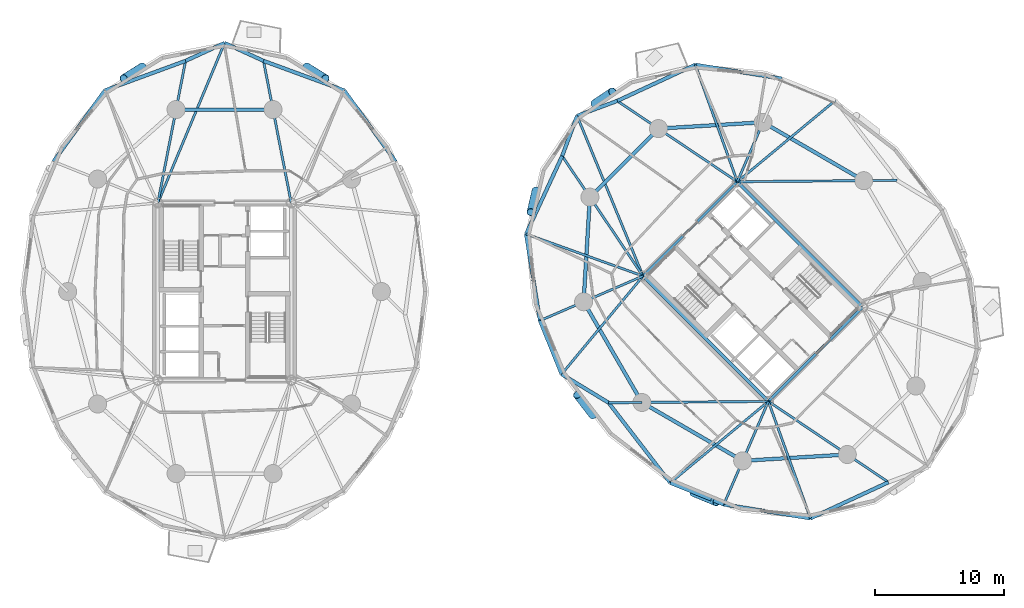
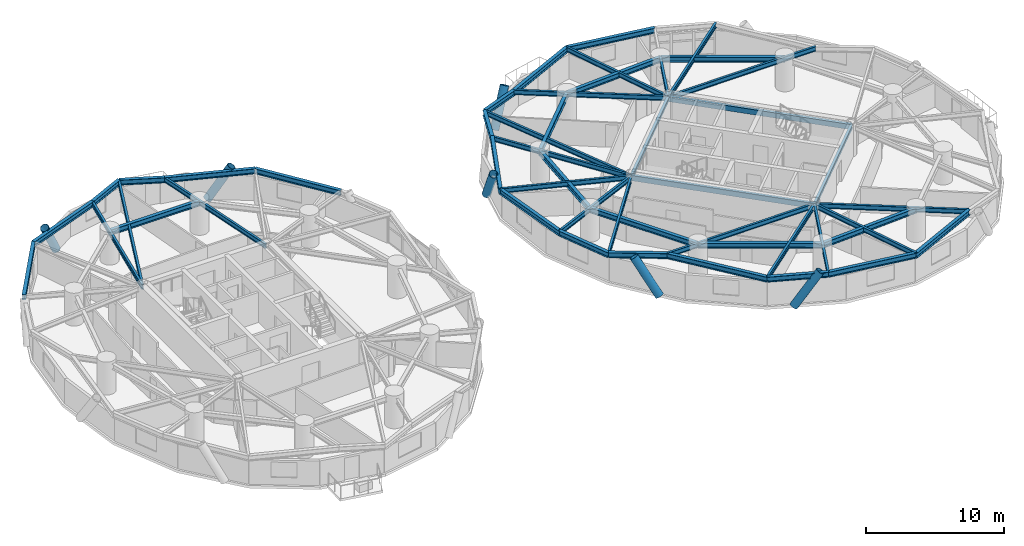
# One storey, part 5 of 17: 49 beams, 6 members.
"""IFC4 building model written with IfcOpenShell, lengths in metres."""

from ifc_helpers import new_model, si_unit, direction, frame, origin, origin_2d, place, context, subcontext, project, spatial, hollow_rectangle, hollow_circle, i_section, extrude, material, material_profile, profile_set, type_object, element, save


model = new_model("IFC4")

# Units and contexts
model_context = context("Model", 3, precision=1e-05, world=origin(), true_north=direction((0.0, 1.0)))
body_context = subcontext(model_context, "Body", "Model", "MODEL_VIEW")
ifc_project = project(units=[si_unit("LENGTHUNIT", "METRE"), si_unit("AREAUNIT", "SQUARE_METRE"), si_unit("VOLUMEUNIT", "CUBIC_METRE"), si_unit("PLANEANGLEUNIT", "RADIAN"), si_unit("MASSUNIT", "GRAM", prefix="KILO")], contexts=[model_context])

# Site, building, storey
site_placement = place(None, origin())
site = spatial("IfcSite", under=ifc_project, at=site_placement, CompositionType="ELEMENT")
building_placement = place(site_placement, origin())
building = spatial("IfcBuilding", under=site, at=building_placement, Name="Cununo Teusaquillo Station Towers", CompositionType="ELEMENT")
storey_placement = place(building_placement, frame((0.0, 0.0, 113.800048828125)))
storey = spatial("IfcBuildingStorey", under=building, at=storey_placement, Name="L36", CompositionType="ELEMENT", Elevation=113.800048828125)

# Beams
ifc_material_1 = material(Name="Steel EN 10025-2 S355J2", Category="steel")
ifc_material_profile_1 = material_profile(ifc_material_1, hollow_rectangle(XDim=0.25, YDim=0.449951171875, WallThickness=0.01611328125, at=origin_2d()), Name="RHS 450x250x16")
ifc_profile_set_1 = profile_set([ifc_material_profile_1], Name="Steel EN 10025-2 S355J2")
beam_type_1 = type_object("IfcBeamType", Name="BM-COUP-1", PredefinedType="USERDEFINED", material=ifc_profile_set_1)
for number, where, z_axis, x_axis, name in (
    (1, (58.70556640625, 15.975830078125, 2.445068359375), (-0.707106781187, 0.707106781187, 0.0), (-0.707106781187, -0.707106781187, 0.0), "L36 Tower B Core Beam 1"),
    (2, (66.024169921875, 23.29443359375, 2.445068359375), (-0.707106781187, 0.707106781187, 0.0), (-0.707106781187, -0.707106781187, 0.0), "L36 Tower B Core Beam 2"),
):
    element("IfcBeam", number, at=place(storey_placement, frame(where, z_axis=z_axis, x_axis=x_axis)), inside=storey, type_object=beam_type_1, Name=name, ObjectType="COUPLING BEAM", PredefinedType="USERDEFINED", context=body_context, shape_type="SweptSolid", body=[
        extrude(hollow_rectangle(XDim=0.25, YDim=0.449951171875, WallThickness=0.01611328125, at=origin_2d()), origin(), (0.0, 0.0, 1.0), 13.760009765625),
    ])
ifc_material_2 = material(Name="Steel ASTM A572 Grade 50", Category="steel")
ifc_material_profile_2 = material_profile(ifc_material_2, i_section(OverallWidth=0.180908203125, OverallDepth=0.4169921875, WebThickness=0.010986328125, FlangeThickness=0.018310546875, FilletRadius=0.012939453125, at=origin_2d()), Name="W16X57")
ifc_profile_set_2 = profile_set([ifc_material_profile_2], Name="Steel ASTM A572 Grade 50")
beam_type_2 = type_object("IfcBeamType", Name="BM-JOIST-1", PredefinedType="JOIST", material=ifc_profile_set_2)
beam_1_placement = place(storey_placement, frame((11.324951171875, 31.3798828125, 2.46142578125), z_axis=(0.38487837995, 0.922967297713, 0.0), x_axis=(-0.922967297713, 0.38487837995, 0.0)))
element("IfcBeam", 3, at=beam_1_placement, inside=storey, type_object=beam_type_2, Name="L36 Tower A Radial Spandrel Joist V05", PredefinedType="JOIST", context=body_context, shape_type="SweptSolid", body=[
    extrude(i_section(OverallWidth=0.180908203125, OverallDepth=0.4169921875, WebThickness=0.010986328125, FlangeThickness=0.018310546875, FilletRadius=0.012939453125, at=origin_2d()), origin(), (0.0, 0.0, 1.0), 13.446044921875),
])
beam_2_placement = place(storey_placement, frame((56.29443359375, 33.024169921875, 2.46142578125), z_axis=(0.769727799615, 0.638372238196, 0.0), x_axis=(-0.638372238196, 0.769727799615, 0.0)))
element("IfcBeam", 4, at=beam_2_placement, inside=storey, type_object=beam_type_2, Name="L36 Tower B Radial Spandrel Joist V01", PredefinedType="JOIST", context=body_context, shape_type="SweptSolid", body=[
    extrude(i_section(OverallWidth=0.180908203125, OverallDepth=0.4169921875, WebThickness=0.010986328125, FlangeThickness=0.018310546875, FilletRadius=0.012939453125, at=origin_2d()), origin(), (0.0, 0.0, 1.0), 9.895263671875),
])
beam_3_placement = place(storey_placement, frame((56.29443359375, 33.024169921875, 2.46142578125), z_axis=(-0.338176312038, 0.941082771055, 0.0), x_axis=(-0.941082771055, -0.338176312038, 0.0)))
element("IfcBeam", 5, at=beam_3_placement, inside=storey, type_object=beam_type_2, Name="L36 Tower B Radial Spandrel Joist V03", PredefinedType="JOIST", context=body_context, shape_type="SweptSolid", body=[
    extrude(i_section(OverallWidth=0.180908203125, OverallDepth=0.4169921875, WebThickness=0.010986328125, FlangeThickness=0.018310546875, FilletRadius=0.012939453125, at=origin_2d()), origin(), (0.0, 0.0, 1.0), 9.646484375),
])
beam_4_placement = place(storey_placement, frame((48.975830078125, 25.70556640625, 2.46142578125), z_axis=(-0.380485864505, 0.924786735908, 0.0), x_axis=(-0.924786735908, -0.380485864505, 0.0)))
element("IfcBeam", 6, at=beam_4_placement, inside=storey, type_object=beam_type_2, Name="L36 Tower B Radial Spandrel Joist V05", PredefinedType="JOIST", context=body_context, shape_type="SweptSolid", body=[
    extrude(i_section(OverallWidth=0.180908203125, OverallDepth=0.4169921875, WebThickness=0.010986328125, FlangeThickness=0.018310546875, FilletRadius=0.012939453125, at=origin_2d()), origin(), (0.0, 0.0, 1.0), 13.44580078125),
])
beam_5_placement = place(storey_placement, frame((48.975830078125, 25.70556640625, 2.46142578125), z_axis=(-0.941082771055, 0.338176312038, 0.0), x_axis=(-0.338176312038, -0.941082771055, 0.0)))
element("IfcBeam", 7, at=beam_5_placement, inside=storey, type_object=beam_type_2, Name="L36 Tower B Radial Spandrel Joist V07", PredefinedType="JOIST", context=body_context, shape_type="SweptSolid", body=[
    extrude(i_section(OverallWidth=0.180908203125, OverallDepth=0.4169921875, WebThickness=0.010986328125, FlangeThickness=0.018310546875, FilletRadius=0.012939453125, at=origin_2d()), origin(), (0.0, 0.0, 1.0), 9.646484375),
])
for number, where, z_axis, x_axis, name in (
    (8, (48.975830078125, 25.70556640625, 2.46142578125), (-0.638372238196, -0.769727799615, 0.0), (0.769727799615, -0.638372238196, 0.0), "L36 Tower B Radial Spandrel Joist V09"),
    (9, (58.70556640625, 15.975830078125, 2.46142578125), (-0.769727799615, -0.638372238196, 0.0), (0.638372238196, -0.769727799615, 0.0), "L36 Tower B Radial Spandrel Joist V11"),
):
    element("IfcBeam", number, at=place(storey_placement, frame(where, z_axis=z_axis, x_axis=x_axis)), inside=storey, type_object=beam_type_2, Name=name, PredefinedType="JOIST", context=body_context, shape_type="SweptSolid", body=[
        extrude(i_section(OverallWidth=0.180908203125, OverallDepth=0.4169921875, WebThickness=0.010986328125, FlangeThickness=0.018310546875, FilletRadius=0.012939453125, at=origin_2d()), origin(), (0.0, 0.0, 1.0), 9.895263671875),
    ])
beam_6_placement = place(storey_placement, frame((58.70556640625, 15.975830078125, 2.46142578125), z_axis=(0.338176312038, -0.941082771055, 0.0), x_axis=(0.941082771055, 0.338176312038, 0.0)))
element("IfcBeam", 10, at=beam_6_placement, inside=storey, type_object=beam_type_2, Name="L36 Tower B Radial Spandrel Joist V13", PredefinedType="JOIST", context=body_context, shape_type="SweptSolid", body=[
    extrude(i_section(OverallWidth=0.180908203125, OverallDepth=0.4169921875, WebThickness=0.010986328125, FlangeThickness=0.018310546875, FilletRadius=0.012939453125, at=origin_2d()), origin(), (0.0, 0.0, 1.0), 9.646484375),
])
ifc_material_3 = material(Name="Steel ASTM A572 Grade 50", Category="steel")
ifc_material_profile_3 = material_profile(ifc_material_3, i_section(OverallWidth=0.2041015625, OverallDepth=0.35009765625, WebThickness=0.008544921875, FlangeThickness=0.01513671875, FilletRadius=0.011962890625, at=origin_2d()), Name="W14X48")
ifc_profile_set_3 = profile_set([ifc_material_profile_3], Name="Steel ASTM A572 Grade 50")
beam_type_3 = type_object("IfcBeamType", Name="BM-LINTEL-1", PredefinedType="LINTEL", material=ifc_profile_set_3)
for number, where, z_axis, x_axis, name in (
    (11, (58.70556640625, 15.975830078125, 2.494873046875), (0.707106781187, 0.707106781187, 0.0), (-0.707106781187, 0.707106781187, 0.0), "L36 Tower B Core Beam 3"),
    (12, (48.975830078125, 25.70556640625, 2.494873046875), (0.707106781187, 0.707106781187, 0.0), (-0.707106781187, 0.707106781187, 0.0), "L36 Tower B Core Beam 4"),
):
    element("IfcBeam", number, at=place(storey_placement, frame(where, z_axis=z_axis, x_axis=x_axis)), inside=storey, type_object=beam_type_3, Name=name, PredefinedType="LINTEL", context=body_context, shape_type="SweptSolid", body=[
        extrude(i_section(OverallWidth=0.2041015625, OverallDepth=0.35009765625, WebThickness=0.008544921875, FlangeThickness=0.01513671875, FilletRadius=0.011962890625, at=origin_2d()), origin(), (0.0, 0.0, 1.0), 10.35009765625),
    ])
ifc_material_4 = material(Name="Steel ASTM A572 Grade 50", Category="steel")
ifc_material_profile_4 = material_profile(ifc_material_4, i_section(OverallWidth=0.180908203125, OverallDepth=0.4169921875, WebThickness=0.010986328125, FlangeThickness=0.018310546875, FilletRadius=0.012939453125, at=origin_2d()), Name="W16X57")
ifc_profile_set_4 = profile_set([ifc_material_profile_4], Name="Steel ASTM A572 Grade 50")
beam_type_4 = type_object("IfcBeamType", Name="BM-RAD-G2", PredefinedType="BEAM", material=ifc_profile_set_4)
for number, where, z_axis, x_axis, name in (
    (13, (21.675048828125, 31.3798828125, 2.46142578125), (-0.191552755713, 0.981482318628, 0.0), (-0.981482318628, -0.191552755713, 0.0), "L36 Tower A Continuous Overhanging Radial Girder 03"),
    (14, (11.324951171875, 31.3798828125, 2.46142578125), (0.191552755713, 0.981482318628, 0.0), (-0.981482318628, 0.191552755713, 0.0), "L36 Tower A Continuous Overhanging Radial Girder 04"),
):
    element("IfcBeam", number, at=place(storey_placement, frame(where, z_axis=z_axis, x_axis=x_axis)), inside=storey, type_object=beam_type_4, Name=name, PredefinedType="BEAM", context=body_context, shape_type="SweptSolid", body=[
        extrude(i_section(OverallWidth=0.180908203125, OverallDepth=0.4169921875, WebThickness=0.010986328125, FlangeThickness=0.018310546875, FilletRadius=0.012939453125, at=origin_2d()), origin(), (0.0, 0.0, 1.0), 11.22998046875),
    ])
beam_7_placement = place(storey_placement, frame((56.29443359375, 33.024169921875, 2.46142578125), z_axis=(0.999964331255, 0.008446077024, 0.0), x_axis=(-0.008446077024, 0.999964331255, 0.0)))
element("IfcBeam", 15, at=beam_7_placement, inside=storey, type_object=beam_type_4, Name="L36 Tower B Continuous Overhanging Radial Girder 01", PredefinedType="BEAM", context=body_context, shape_type="SweptSolid", body=[
    extrude(i_section(OverallWidth=0.180908203125, OverallDepth=0.4169921875, WebThickness=0.010986328125, FlangeThickness=0.018310546875, FilletRadius=0.012939453125, at=origin_2d()), origin(), (0.0, 0.0, 1.0), 12.400634765625),
])
beam_8_placement = place(storey_placement, frame((56.29443359375, 33.024169921875, 2.46142578125), z_axis=(0.397346986387, 0.917668443616, 0.0), x_axis=(-0.917668443616, 0.397346986387, 0.0)))
element("IfcBeam", 16, at=beam_8_placement, inside=storey, type_object=beam_type_4, Name="L36 Tower B Radial Girder 02A", PredefinedType="BEAM", context=body_context, shape_type="SweptSolid", body=[
    extrude(i_section(OverallWidth=0.180908203125, OverallDepth=0.4169921875, WebThickness=0.010986328125, FlangeThickness=0.018310546875, FilletRadius=0.012939453125, at=origin_2d()), origin(), (0.0, 0.0, 1.0), 5.02490234375),
])
for number, where, z_axis, x_axis, name in (
    (17, (56.29443359375, 33.024169921875, 2.46142578125), (-0.82945583878, 0.558572297481, 0.0), (-0.558572297481, -0.82945583878, 0.0), "L36 Tower B Continuous Overhanging Radial Girder 03"),
    (18, (48.975830078125, 25.70556640625, 2.46142578125), (-0.558572297481, 0.82945583878, 0.0), (-0.82945583878, -0.558572297481, 0.0), "L36 Tower B Continuous Overhanging Radial Girder 04"),
):
    element("IfcBeam", number, at=place(storey_placement, frame(where, z_axis=z_axis, x_axis=x_axis)), inside=storey, type_object=beam_type_4, Name=name, PredefinedType="BEAM", context=body_context, shape_type="SweptSolid", body=[
        extrude(i_section(OverallWidth=0.180908203125, OverallDepth=0.4169921875, WebThickness=0.010986328125, FlangeThickness=0.018310546875, FilletRadius=0.012939453125, at=origin_2d()), origin(), (0.0, 0.0, 1.0), 11.22998046875),
    ])
beam_9_placement = place(storey_placement, frame((48.975830078125, 25.70556640625, 2.46142578125), z_axis=(-0.917654733344, -0.397378648609, 0.0), x_axis=(0.397378648609, -0.917654733344, 0.0)))
element("IfcBeam", 19, at=beam_9_placement, inside=storey, type_object=beam_type_4, Name="L36 Tower B Continuous Overhanging Radial Girder 05", PredefinedType="BEAM", context=body_context, shape_type="SweptSolid", body=[
    extrude(i_section(OverallWidth=0.180908203125, OverallDepth=0.4169921875, WebThickness=0.010986328125, FlangeThickness=0.018310546875, FilletRadius=0.012939453125, at=origin_2d()), origin(), (0.0, 0.0, 1.0), 8.71484375),
])
beam_10_placement = place(storey_placement, frame((58.70556640625, 15.975830078125, 2.46142578125), z_axis=(-0.999964431382, -0.008434214327, 0.0), x_axis=(0.008434214327, -0.999964431382, 0.0)))
element("IfcBeam", 20, at=beam_10_placement, inside=storey, type_object=beam_type_4, Name="L36 Tower B Radial Girder 06A", PredefinedType="BEAM", context=body_context, shape_type="SweptSolid", body=[
    extrude(i_section(OverallWidth=0.180908203125, OverallDepth=0.4169921875, WebThickness=0.010986328125, FlangeThickness=0.018310546875, FilletRadius=0.012939453125, at=origin_2d()), origin(), (0.0, 0.0, 1.0), 9.812744140625),
])
beam_11_placement = place(storey_placement, frame((48.89306640625, 15.89306640625, 2.46142578125), z_axis=(-0.999963950292, -0.008491060999, 0.0), x_axis=(0.008491060999, -0.999963950292, 0.0)))
element("IfcBeam", 21, at=beam_11_placement, inside=storey, type_object=beam_type_4, Name="L36 Tower B Perimeter Overhang Girder 06B", PredefinedType="BEAM", context=body_context, shape_type="SweptSolid", body=[
    extrude(i_section(OverallWidth=0.180908203125, OverallDepth=0.4169921875, WebThickness=0.010986328125, FlangeThickness=0.018310546875, FilletRadius=0.012939453125, at=origin_2d()), origin(), (0.0, 0.0, 1.0), 2.587646484375),
])
beam_12_placement = place(storey_placement, frame((58.70556640625, 15.975830078125, 2.46142578125), z_axis=(-0.397378648609, -0.917654733344, 0.0), x_axis=(0.917654733344, -0.397378648609, 0.0)))
element("IfcBeam", 22, at=beam_12_placement, inside=storey, type_object=beam_type_4, Name="L36 Tower B Continuous Overhanging Radial Girder 07", PredefinedType="BEAM", context=body_context, shape_type="SweptSolid", body=[
    extrude(i_section(OverallWidth=0.180908203125, OverallDepth=0.4169921875, WebThickness=0.010986328125, FlangeThickness=0.018310546875, FilletRadius=0.012939453125, at=origin_2d()), origin(), (0.0, 0.0, 1.0), 8.71484375),
])
beam_13_placement = place(storey_placement, frame((58.70556640625, 15.975830078125, 2.46142578125), z_axis=(0.82945583878, -0.558572297481, 0.0), x_axis=(0.558572297481, 0.82945583878, 0.0)))
element("IfcBeam", 23, at=beam_13_placement, inside=storey, type_object=beam_type_4, Name="L36 Tower B Continuous Overhanging Radial Girder 08", PredefinedType="BEAM", context=body_context, shape_type="SweptSolid", body=[
    extrude(i_section(OverallWidth=0.180908203125, OverallDepth=0.4169921875, WebThickness=0.010986328125, FlangeThickness=0.018310546875, FilletRadius=0.012939453125, at=origin_2d()), origin(), (0.0, 0.0, 1.0), 11.22998046875),
])
ifc_material_5 = material(Name="Steel ASTM A572 Grade 50", Category="steel")
ifc_material_profile_5 = material_profile(ifc_material_5, i_section(OverallWidth=0.280029296875, OverallDepth=0.462890625, WebThickness=0.0107421875, FlangeThickness=0.017333984375, FilletRadius=0.013916015625, at=origin_2d()), Name="W18X76")
ifc_profile_set_5 = profile_set([ifc_material_profile_5], Name="Steel ASTM A572 Grade 50")
beam_type_5 = type_object("IfcBeamType", Name="BM-RING-Z2", PredefinedType="SPANDREL", material=ifc_profile_set_5)
beam_14_placement = place(storey_placement, frame((20.261474609375, 38.623291015625, 2.4384765625), z_axis=(-1.0, 0.0, 0.0), x_axis=(0.0, -1.0, 0.0)))
element("IfcBeam", 24, at=beam_14_placement, inside=storey, type_object=beam_type_5, Name="L36 Tower A Structural Column Ring Girder 03", PredefinedType="SPANDREL", context=body_context, shape_type="SweptSolid", body=[
    extrude(i_section(OverallWidth=0.280029296875, OverallDepth=0.462890625, WebThickness=0.0107421875, FlangeThickness=0.017333984375, FilletRadius=0.013916015625, at=origin_2d()), origin(), (0.0, 0.0, 1.0), 7.52294921875),
])
beam_15_placement = place(storey_placement, frame((29.77880859375, 34.586181640625, 2.4384765625), z_axis=(-0.58594455724, 0.810351143543, 0.0), x_axis=(-0.810351143543, -0.58594455724, 0.0)))
element("IfcBeam", 25, at=beam_15_placement, inside=storey, type_object=beam_type_5, Name="L36 Tower A Spandrel Ring Beam 03", PredefinedType="SPANDREL", context=body_context, shape_type="SweptSolid", body=[
    extrude(i_section(OverallWidth=0.280029296875, OverallDepth=0.462890625, WebThickness=0.0107421875, FlangeThickness=0.017333984375, FilletRadius=0.013916015625, at=origin_2d()), origin(), (0.0, 0.0, 1.0), 6.8115234375),
])
beam_16_placement = place(storey_placement, frame((25.78759765625, 40.10595703125, 2.4384765625), z_axis=(-0.938914161016, 0.34415141761, 0.0), x_axis=(-0.34415141761, -0.938914161016, 0.0)))
element("IfcBeam", 26, at=beam_16_placement, inside=storey, type_object=beam_type_5, Name="L36 Tower A Spandrel Ring Beam 04", PredefinedType="SPANDREL", context=body_context, shape_type="SweptSolid", body=[
    extrude(i_section(OverallWidth=0.280029296875, OverallDepth=0.462890625, WebThickness=0.0107421875, FlangeThickness=0.017333984375, FilletRadius=0.013916015625, at=origin_2d()), origin(), (0.0, 0.0, 1.0), 6.671142578125),
])
for number, where, z_axis, x_axis, name in (
    (27, (19.52392578125, 42.40185546875, 2.4384765625), (-0.908812215281, 0.417205413862, 0.0), (-0.417205413862, -0.908812215281, 0.0), "L36 Tower A Spandrel Ring Beam 05"),
    (28, (16.5, 43.7900390625, 2.4384765625), (-0.908812215281, -0.417205413862, 0.0), (0.417205413862, -0.908812215281, 0.0), "L36 Tower A Spandrel Ring Beam 06"),
):
    element("IfcBeam", number, at=place(storey_placement, frame(where, z_axis=z_axis, x_axis=x_axis)), inside=storey, type_object=beam_type_5, Name=name, PredefinedType="SPANDREL", context=body_context, shape_type="SweptSolid", body=[
        extrude(i_section(OverallWidth=0.280029296875, OverallDepth=0.462890625, WebThickness=0.0107421875, FlangeThickness=0.017333984375, FilletRadius=0.013916015625, at=origin_2d()), origin(), (0.0, 0.0, 1.0), 3.327392578125),
    ])
beam_17_placement = place(storey_placement, frame((13.47607421875, 42.40185546875, 2.4384765625), z_axis=(-0.938914161016, -0.34415141761, 0.0), x_axis=(0.34415141761, -0.938914161016, 0.0)))
element("IfcBeam", 29, at=beam_17_placement, inside=storey, type_object=beam_type_5, Name="L36 Tower A Spandrel Ring Beam 07", PredefinedType="SPANDREL", context=body_context, shape_type="SweptSolid", body=[
    extrude(i_section(OverallWidth=0.280029296875, OverallDepth=0.462890625, WebThickness=0.0107421875, FlangeThickness=0.017333984375, FilletRadius=0.013916015625, at=origin_2d()), origin(), (0.0, 0.0, 1.0), 6.671142578125),
])
beam_18_placement = place(storey_placement, frame((7.21240234375, 40.10595703125, 2.4384765625), z_axis=(-0.58594455724, -0.810351143543, 0.0), x_axis=(0.810351143543, -0.58594455724, 0.0)))
element("IfcBeam", 30, at=beam_18_placement, inside=storey, type_object=beam_type_5, Name="L36 Tower A Spandrel Ring Beam 08", PredefinedType="SPANDREL", context=body_context, shape_type="SweptSolid", body=[
    extrude(i_section(OverallWidth=0.280029296875, OverallDepth=0.462890625, WebThickness=0.0107421875, FlangeThickness=0.017333984375, FilletRadius=0.013916015625, at=origin_2d()), origin(), (0.0, 0.0, 1.0), 6.8115234375),
])
beam_19_placement = place(storey_placement, frame((66.10693359375, 33.10693359375, 2.4384765625), z_axis=(-0.865267103202, 0.501311121078, 0.0), x_axis=(-0.501311121078, -0.865267103202, 0.0)))
element("IfcBeam", 31, at=beam_19_placement, inside=storey, type_object=beam_type_5, Name="L36 Tower B Structural Column Ring Girder 01", PredefinedType="SPANDREL", context=body_context, shape_type="SweptSolid", body=[
    extrude(i_section(OverallWidth=0.280029296875, OverallDepth=0.462890625, WebThickness=0.0107421875, FlangeThickness=0.017333984375, FilletRadius=0.013916015625, at=origin_2d()), origin(), (0.0, 0.0, 1.0), 9.032958984375),
])
beam_20_placement = place(storey_placement, frame((58.291015625, 37.63525390625, 2.4384765625), z_axis=(-0.998190567048, -0.06012979176, 0.0), x_axis=(0.06012979176, -0.998190567048, 0.0)))
element("IfcBeam", 32, at=beam_20_placement, inside=storey, type_object=beam_type_5, Name="L36 Tower B Structural Column Ring Girder 02", PredefinedType="SPANDREL", context=body_context, shape_type="SweptSolid", body=[
    extrude(i_section(OverallWidth=0.280029296875, OverallDepth=0.462890625, WebThickness=0.0107421875, FlangeThickness=0.017333984375, FilletRadius=0.013916015625, at=origin_2d()), origin(), (0.0, 0.0, 1.0), 8.132568359375),
])
beam_21_placement = place(storey_placement, frame((50.173095703125, 37.146240234375, 2.4384765625), z_axis=(-0.707106781187, -0.707106781187, 0.0), x_axis=(0.707106781187, -0.707106781187, 0.0)))
element("IfcBeam", 33, at=beam_21_placement, inside=storey, type_object=beam_type_5, Name="L36 Tower B Structural Column Ring Girder 03", PredefinedType="SPANDREL", context=body_context, shape_type="SweptSolid", body=[
    extrude(i_section(OverallWidth=0.280029296875, OverallDepth=0.462890625, WebThickness=0.0107421875, FlangeThickness=0.017333984375, FilletRadius=0.013916015625, at=origin_2d()), origin(), (0.0, 0.0, 1.0), 7.522705078125),
])
beam_22_placement = place(storey_placement, frame((44.853759765625, 31.826904296875, 2.4384765625), z_axis=(-0.06012979176, -0.998190567048, 0.0), x_axis=(0.998190567048, -0.06012979176, 0.0)))
element("IfcBeam", 34, at=beam_22_placement, inside=storey, type_object=beam_type_5, Name="L36 Tower B Structural Column Ring Girder 04", PredefinedType="SPANDREL", context=body_context, shape_type="SweptSolid", body=[
    extrude(i_section(OverallWidth=0.280029296875, OverallDepth=0.462890625, WebThickness=0.0107421875, FlangeThickness=0.017333984375, FilletRadius=0.013916015625, at=origin_2d()), origin(), (0.0, 0.0, 1.0), 8.132568359375),
])
for number, where, z_axis, x_axis, name in (
    (35, (44.36474609375, 23.708984375, 2.4384765625), (0.501311121078, -0.865267103202, 0.0), (0.865267103202, 0.501311121078, 0.0), "L36 Tower B Structural Column Ring Girder 05"),
    (36, (48.89306640625, 15.89306640625, 2.4384765625), (0.865267103202, -0.501311121078, 0.0), (0.501311121078, 0.865267103202, 0.0), "L36 Tower B Structural Column Ring Girder 06"),
):
    element("IfcBeam", number, at=place(storey_placement, frame(where, z_axis=z_axis, x_axis=x_axis)), inside=storey, type_object=beam_type_5, Name=name, PredefinedType="SPANDREL", context=body_context, shape_type="SweptSolid", body=[
        extrude(i_section(OverallWidth=0.280029296875, OverallDepth=0.462890625, WebThickness=0.0107421875, FlangeThickness=0.017333984375, FilletRadius=0.013916015625, at=origin_2d()), origin(), (0.0, 0.0, 1.0), 9.032958984375),
    ])
beam_23_placement = place(storey_placement, frame((56.708984375, 11.36474609375, 2.4384765625), z_axis=(0.998190567048, 0.06012979176, 0.0), x_axis=(-0.06012979176, 0.998190567048, 0.0)))
element("IfcBeam", 37, at=beam_23_placement, inside=storey, type_object=beam_type_5, Name="L36 Tower B Structural Column Ring Girder 07", PredefinedType="SPANDREL", context=body_context, shape_type="SweptSolid", body=[
    extrude(i_section(OverallWidth=0.280029296875, OverallDepth=0.462890625, WebThickness=0.0107421875, FlangeThickness=0.017333984375, FilletRadius=0.013916015625, at=origin_2d()), origin(), (0.0, 0.0, 1.0), 8.132568359375),
])
beam_24_placement = place(storey_placement, frame((59.757568359375, 41.021484375, 2.4384765625), z_axis=(-0.987331474246, 0.158671232312, 0.0), x_axis=(-0.158671232312, -0.987331474246, 0.0)))
element("IfcBeam", 38, at=beam_24_placement, inside=storey, type_object=beam_type_5, Name="L36 Tower B Spandrel Ring Beam 03", PredefinedType="SPANDREL", context=body_context, shape_type="SweptSolid", body=[
    extrude(i_section(OverallWidth=0.280029296875, OverallDepth=0.462890625, WebThickness=0.0107421875, FlangeThickness=0.017333984375, FilletRadius=0.013916015625, at=origin_2d()), origin(), (0.0, 0.0, 1.0), 6.8115234375),
])
beam_25_placement = place(storey_placement, frame((53.0322265625, 42.102294921875, 2.4384765625), z_axis=(-0.907275870354, -0.420535961689, 0.0), x_axis=(0.420535961689, -0.907275870354, 0.0)))
element("IfcBeam", 39, at=beam_25_placement, inside=storey, type_object=beam_type_5, Name="L36 Tower B Spandrel Ring Beam 04", PredefinedType="SPANDREL", context=body_context, shape_type="SweptSolid", body=[
    extrude(i_section(OverallWidth=0.280029296875, OverallDepth=0.462890625, WebThickness=0.0107421875, FlangeThickness=0.017333984375, FilletRadius=0.013916015625, at=origin_2d()), origin(), (0.0, 0.0, 1.0), 6.671142578125),
])
for number, where, z_axis, x_axis, name in (
    (40, (46.979736328125, 39.296875, 2.4384765625), (-0.937628334414, -0.347639333943, 0.0), (0.347639333943, -0.937628334414, 0.0), "L36 Tower B Spandrel Ring Beam 05"),
    (41, (43.85986328125, 38.14013671875, 2.4384765625), (-0.347639333943, -0.937628334414, 0.0), (0.937628334414, -0.347639333943, 0.0), "L36 Tower B Spandrel Ring Beam 06"),
):
    element("IfcBeam", number, at=place(storey_placement, frame(where, z_axis=z_axis, x_axis=x_axis)), inside=storey, type_object=beam_type_5, Name=name, PredefinedType="SPANDREL", context=body_context, shape_type="SweptSolid", body=[
        extrude(i_section(OverallWidth=0.280029296875, OverallDepth=0.462890625, WebThickness=0.0107421875, FlangeThickness=0.017333984375, FilletRadius=0.013916015625, at=origin_2d()), origin(), (0.0, 0.0, 1.0), 3.327392578125),
    ])
beam_26_placement = place(storey_placement, frame((42.703125, 35.020263671875, 2.4384765625), z_axis=(-0.420535961689, -0.907275870354, 0.0), x_axis=(0.907275870354, -0.420535961689, 0.0)))
element("IfcBeam", 42, at=beam_26_placement, inside=storey, type_object=beam_type_5, Name="L36 Tower B Spandrel Ring Beam 07", PredefinedType="SPANDREL", context=body_context, shape_type="SweptSolid", body=[
    extrude(i_section(OverallWidth=0.280029296875, OverallDepth=0.462890625, WebThickness=0.0107421875, FlangeThickness=0.017333984375, FilletRadius=0.013916015625, at=origin_2d()), origin(), (0.0, 0.0, 1.0), 6.671142578125),
])
beam_27_placement = place(storey_placement, frame((39.897705078125, 28.9677734375, 2.4384765625), z_axis=(0.158671232312, -0.987331474246, 0.0), x_axis=(0.987331474246, 0.158671232312, 0.0)))
element("IfcBeam", 43, at=beam_27_placement, inside=storey, type_object=beam_type_5, Name="L36 Tower B Spandrel Ring Beam 08", PredefinedType="SPANDREL", context=body_context, shape_type="SweptSolid", body=[
    extrude(i_section(OverallWidth=0.280029296875, OverallDepth=0.462890625, WebThickness=0.0107421875, FlangeThickness=0.017333984375, FilletRadius=0.013916015625, at=origin_2d()), origin(), (0.0, 0.0, 1.0), 6.8115234375),
])
beam_28_placement = place(storey_placement, frame((40.978515625, 22.242431640625, 2.4384765625), z_axis=(0.375042266631, -0.927007712072, 0.0), x_axis=(0.927007712072, 0.375042266631, 0.0)))
element("IfcBeam", 44, at=beam_28_placement, inside=storey, type_object=beam_type_5, Name="L36 Tower B Spandrel Ring Beam 09", PredefinedType="SPANDREL", context=body_context, shape_type="SweptSolid", body=[
    extrude(i_section(OverallWidth=0.280029296875, OverallDepth=0.462890625, WebThickness=0.0107421875, FlangeThickness=0.017333984375, FilletRadius=0.013916015625, at=origin_2d()), origin(), (0.0, 0.0, 1.0), 4.480712890625),
])
beam_29_placement = place(storey_placement, frame((42.658935546875, 18.0888671875, 2.4384765625), z_axis=(0.854388492444, -0.519634779416, 0.0), x_axis=(0.519634779416, 0.854388492444, 0.0)))
element("IfcBeam", 45, at=beam_29_placement, inside=storey, type_object=beam_type_5, Name="L36 Tower B Spandrel Ring Beam 10", PredefinedType="SPANDREL", context=body_context, shape_type="SweptSolid", body=[
    extrude(i_section(OverallWidth=0.280029296875, OverallDepth=0.462890625, WebThickness=0.0107421875, FlangeThickness=0.017333984375, FilletRadius=0.013916015625, at=origin_2d()), origin(), (0.0, 0.0, 1.0), 4.26806640625),
])
beam_30_placement = place(storey_placement, frame((46.305419921875, 15.87109375, 2.4384765625), z_axis=(0.610100441726, -0.792324082056, 0.0), x_axis=(0.792324082056, 0.610100441726, 0.0)))
element("IfcBeam", 46, at=beam_30_placement, inside=storey, type_object=beam_type_5, Name="L36 Tower B Spandrel Ring Beam 11", PredefinedType="SPANDREL", context=body_context, shape_type="SweptSolid", body=[
    extrude(i_section(OverallWidth=0.280029296875, OverallDepth=0.462890625, WebThickness=0.0107421875, FlangeThickness=0.017333984375, FilletRadius=0.013916015625, at=origin_2d()), origin(), (0.0, 0.0, 1.0), 7.84033203125),
])
beam_31_placement = place(storey_placement, frame((51.0888671875, 9.658935546875, 2.4384765625), z_axis=(0.927007712072, -0.375042266631, 0.0), x_axis=(0.375042266631, 0.927007712072, 0.0)))
element("IfcBeam", 47, at=beam_31_placement, inside=storey, type_object=beam_type_5, Name="L36 Tower B Spandrel Ring Beam 12", PredefinedType="SPANDREL", context=body_context, shape_type="SweptSolid", body=[
    extrude(i_section(OverallWidth=0.280029296875, OverallDepth=0.462890625, WebThickness=0.0107421875, FlangeThickness=0.017333984375, FilletRadius=0.013916015625, at=origin_2d()), origin(), (0.0, 0.0, 1.0), 4.480712890625),
])
beam_32_placement = place(storey_placement, frame((55.242431640625, 7.978515625, 2.4384765625), z_axis=(0.987331474246, -0.158671232312, 0.0), x_axis=(0.158671232312, 0.987331474246, 0.0)))
element("IfcBeam", 48, at=beam_32_placement, inside=storey, type_object=beam_type_5, Name="L36 Tower B Spandrel Ring Beam 13", PredefinedType="SPANDREL", context=body_context, shape_type="SweptSolid", body=[
    extrude(i_section(OverallWidth=0.280029296875, OverallDepth=0.462890625, WebThickness=0.0107421875, FlangeThickness=0.017333984375, FilletRadius=0.013916015625, at=origin_2d()), origin(), (0.0, 0.0, 1.0), 6.8115234375),
])
beam_33_placement = place(storey_placement, frame((61.9677734375, 6.897705078125, 2.4384765625), z_axis=(0.907275870354, 0.420535961689, 0.0), x_axis=(-0.420535961689, 0.907275870354, 0.0)))
element("IfcBeam", 49, at=beam_33_placement, inside=storey, type_object=beam_type_5, Name="L36 Tower B Spandrel Ring Beam 14", PredefinedType="SPANDREL", context=body_context, shape_type="SweptSolid", body=[
    extrude(i_section(OverallWidth=0.280029296875, OverallDepth=0.462890625, WebThickness=0.0107421875, FlangeThickness=0.017333984375, FilletRadius=0.013916015625, at=origin_2d()), origin(), (0.0, 0.0, 1.0), 6.671142578125),
])

# Members
ifc_material_6 = material(Name="Steel EN 10025-2 S355J2", Category="steel")
ifc_material_profile_6 = material_profile(ifc_material_6, hollow_circle(Radius=0.330078125, WallThickness=0.02490234375, at=origin_2d()), Name="CHS 660x25")
ifc_profile_set_6 = profile_set([ifc_material_profile_6], Name="Steel EN 10025-2 S355J2")
member_type = type_object("IfcMemberType", Name="MBR-DIAG-Z2", PredefinedType="BRACE", material=ifc_profile_set_6)
for number, where, z_axis, x_axis, name in (
    (50, (22.85107421875, 41.9326171875, -0.14013671875), (0.433741137774, -0.269808047292, 0.859693109789), (0.528195574716, 0.849122744278, 0.0), "L36 Tower A Folded-Zigzag Diagrid Tube C03"),
    (51, (10.14892578125, 41.9326171875, -0.14013671875), (-0.433741137774, -0.269808047292, 0.859693109789), (0.528195574716, -0.849122744278, 0.0), "L36 Tower A Folded-Zigzag Diagrid Tube C06"),
):
    element("IfcMember", number, at=place(storey_placement, frame(where, z_axis=z_axis, x_axis=x_axis)), inside=storey, type_object=member_type, Name=name, PredefinedType="BRACE", context=body_context, shape_type="SweptSolid", body=[
        extrude(hollow_circle(Radius=0.330078125, WallThickness=0.02490234375, at=origin_2d()), origin(), (0.0, 0.0, 1.0), 3.385009765625),
    ])
member_1_placement = place(storey_placement, frame((45.2333984375, 39.068603515625, -0.14013671875), z_axis=(0.410046606979, 0.277155057731, 0.868934320924), x_axis=(-0.559991322854, 0.828498472134, 0.0)))
element("IfcMember", 52, at=member_1_placement, inside=storey, type_object=member_type, Name="L36 Tower B Folded-Zigzag Diagrid Tube C04", PredefinedType="BRACE", context=body_context, shape_type="SweptSolid", body=[
    extrude(hollow_circle(Radius=0.330078125, WallThickness=0.02490234375, at=origin_2d()), origin(), (0.0, 0.0, 1.0), 3.34912109375),
])
member_2_placement = place(storey_placement, frame((40.682373046875, 32.335693359375, -0.14013671875), z_axis=(-0.115899426578, -0.497494862811, 0.859689586069), x_axis=(0.973920299704, -0.226890391653, 0.0)))
element("IfcMember", 53, at=member_2_placement, inside=storey, type_object=member_type, Name="L36 Tower B Folded-Zigzag Diagrid Tube C06", PredefinedType="BRACE", context=body_context, shape_type="SweptSolid", body=[
    extrude(hollow_circle(Radius=0.330078125, WallThickness=0.02490234375, at=origin_2d()), origin(), (0.0, 0.0, 1.0), 3.385009765625),
])
member_3_placement = place(storey_placement, frame((45.104248046875, 14.914306640625, -0.14013671875), z_axis=(-0.346044496653, 0.449277419576, 0.823652236442), x_axis=(-0.792243348803, -0.610205273886, 0.0)))
element("IfcMember", 54, at=member_3_placement, inside=storey, type_object=member_type, Name="L36 Tower B Folded-Zigzag Diagrid Tube C09", PredefinedType="BRACE", context=body_context, shape_type="SweptSolid", body=[
    extrude(hollow_circle(Radius=0.330078125, WallThickness=0.02490234375, at=origin_2d()), origin(), (0.0, 0.0, 1.0), 3.533203125),
])
member_4_placement = place(storey_placement, frame((52.885498046875, 8.92041015625, -0.14013671875), z_axis=(0.513432884221, -0.211081064796, 0.831764063593), x_axis=(0.380237656053, 0.924888817599, 0.0)))
element("IfcMember", 55, at=member_4_placement, inside=storey, type_object=member_type, Name="L36 Tower B Folded-Zigzag Diagrid Tube C11", PredefinedType="BRACE", context=body_context, shape_type="SweptSolid", body=[
    extrude(hollow_circle(Radius=0.330078125, WallThickness=0.02490234375, at=origin_2d()), origin(), (0.0, 0.0, 1.0), 3.498779296875),
])

save(model, "model.ifc")
